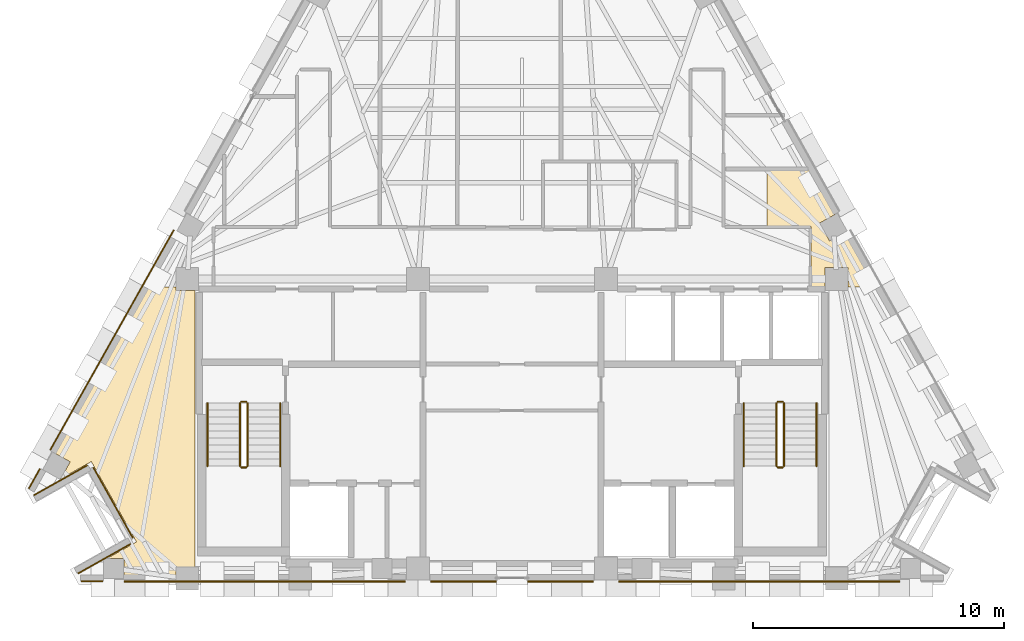
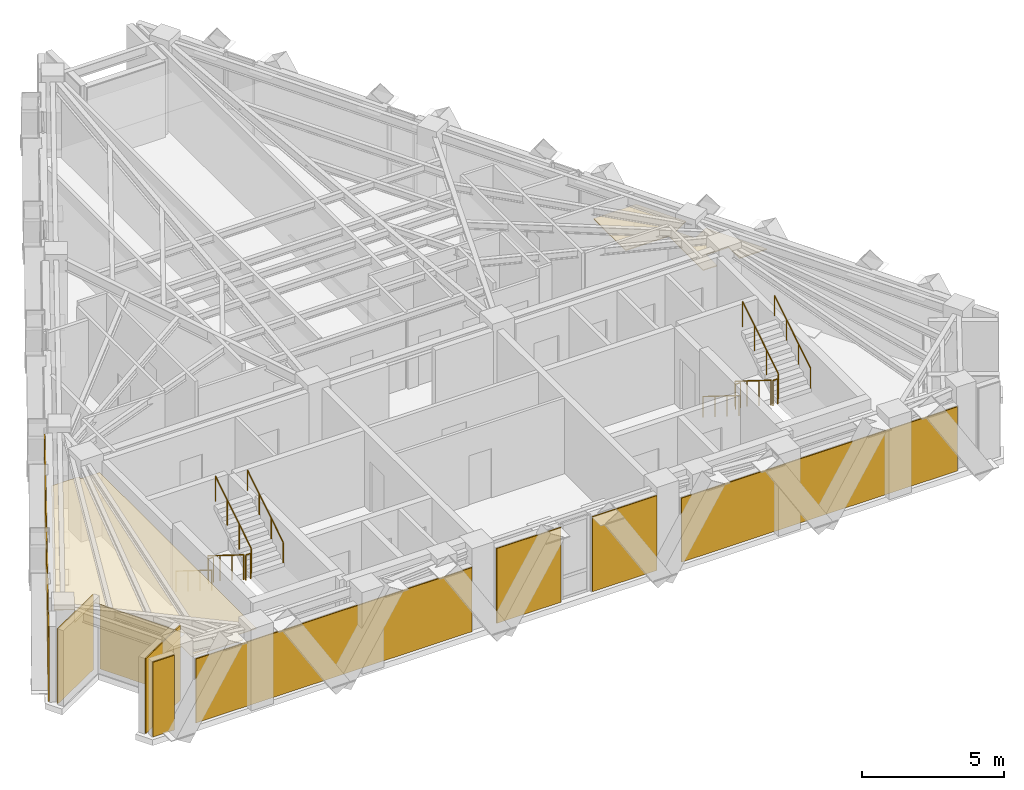
# One storey, part 8 of 9: 12 coverings, 12 railings.
"""IFC4 building model written with IfcOpenShell, lengths in metres."""

from ifc_helpers import new_model, si_unit, direction, frame, origin, origin_2d, place, context, subcontext, project, spatial, polyline, circle, outline, extrude, material, layer, layer_set, type_object, element, save


model = new_model("IFC4")

# Units and contexts
model_context = context("Model", 3, precision=1e-05, world=origin(), true_north=direction((0.0, 1.0)))
body_context = subcontext(model_context, "Body", "Model", "MODEL_VIEW")
ifc_project = project(units=[si_unit("LENGTHUNIT", "METRE"), si_unit("AREAUNIT", "SQUARE_METRE"), si_unit("VOLUMEUNIT", "CUBIC_METRE"), si_unit("PLANEANGLEUNIT", "RADIAN"), si_unit("MASSUNIT", "GRAM", prefix="KILO")], contexts=[model_context])

# Site, building, storey
site_placement = place(None, origin())
site = spatial("IfcSite", under=ifc_project, at=site_placement, CompositionType="ELEMENT")
building_placement = place(site_placement, origin())
building = spatial("IfcBuilding", under=site, at=building_placement, Name="Quenlor Broadcast Tower", CompositionType="ELEMENT")
storey_placement = place(building_placement, frame((0.0, 0.0, 260.39990234375)))
storey = spatial("IfcBuildingStorey", under=building, at=storey_placement, Name="L72", CompositionType="ELEMENT", Elevation=260.39990234375)

# Coverings
ifc_material_1 = material(Name="Acoustic Mineral Fibre Board", Category="other")
ifc_layer_1 = layer(ifc_material_1, 0.02490234375)
ifc_layer_set_1 = layer_set([ifc_layer_1], Name="Acoustic Perforated Mineral Tile Ceiling 25")
covering_type_1 = type_object("IfcCoveringType", Name="Acoustic Perforated Mineral Tile Ceiling 25", PredefinedType="CEILING", material=ifc_layer_set_1)
covering_1_placement = place(storey_placement, frame((0.0, 0.0, 2.714599609375)))
element("IfcCovering", 1, at=covering_1_placement, inside=storey, type_object=covering_type_1, Name="L72 Acoustic Ceiling L72-30", PredefinedType="CEILING", context=body_context, shape_type="SweptSolid", body=[
    extrude(outline(polyline([(-18.25244140625, -11.7421875), (-14.52734375, -5.1201171875), (-13.407958984375, -5.1201171875), (-13.407958984375, -5.258056640625), (-12.64990234375, -5.258056640625), (-12.64990234375, -16.2919921875), (-13.407958984375, -16.2919921875), (-13.407958984375, -16.659912109375), (-15.489501953125, -16.659912109375), (-15.489501953125, -15.94189453125), (-16.1435546875, -15.94189453125), (-14.983642578125, -15.28955078125), (-16.785888671875, -12.085693359375), (-18.0087890625, -12.773681640625), (-17.626708984375, -12.09423828125), (-18.25244140625, -11.7421875)])), origin(), (0.0, 0.0, 1.0), 0.025146484375),
])
ifc_material_2 = material(Name="Acoustic Gypsum Board", Category="other")
ifc_layer_2 = layer(ifc_material_2, 0.0400390625)
ifc_layer_set_2 = layer_set([ifc_layer_2], Name="Broadcast Studio Spring Isolated Ceiling 40")
covering_type_2 = type_object("IfcCoveringType", Name="Broadcast Studio Spring Isolated Ceiling 40", PredefinedType="CEILING", material=ifc_layer_set_2)
covering_2_placement = place(storey_placement, frame((0.0, 0.0, 2.69970703125)))
element("IfcCovering", 2, at=covering_2_placement, inside=storey, type_object=covering_type_2, Name="L72 Acoustic Ceiling L72-29", PredefinedType="CEILING", context=body_context, shape_type="SweptSolid", body=[
    extrude(outline(polyline([(13.407958984375, -4.342041015625), (12.491943359375, -4.342041015625), (12.491943359375, -5.1201171875), (11.929931640625, -5.1201171875), (11.929931640625, -2.699951171875), (10.175048828125, -2.699951171875), (10.175048828125, -0.4501953125), (11.900634765625, -0.4501953125), (12.895751953125, -2.218994140625), (12.27001953125, -2.571044921875), (12.669921875, -3.2822265625), (13.295654296875, -2.930419921875), (14.52734375, -5.1201171875), (13.407958984375, -5.1201171875), (13.407958984375, -4.342041015625)])), origin(), (0.0, 0.0, 1.0), 0.0400390625),
])
ifc_material_3 = material(Name="Architectural Terracotta Ceramic", Category="masonry")
ifc_layer_3 = layer(ifc_material_3, 0.044921875)
ifc_layer_set_3 = layer_set([ifc_layer_3], Name="Fluted Terracotta Rainscreen Cladding Panel")
covering_type_3 = type_object("IfcCoveringType", Name="Fluted Terracotta Rainscreen Cladding Panel", PredefinedType="CLADDING", material=ifc_layer_set_3)
covering_3_placement = place(storey_placement, frame((0.0, 0.0, 0.02001953125)))
element("IfcCovering", 3, at=covering_3_placement, inside=storey, type_object=covering_type_3, Name="L72 Terracotta Rainscreen Cladding L72-SHD-SS1", PredefinedType="CLADDING", context=body_context, shape_type="SweptSolid", body=[
    extrude(outline(polyline([(-16.33251953125, -16.8369140625), (-17.18994140625, -16.8369140625), (-17.18994140625, -16.882080078125), (-16.33251953125, -16.882080078125), (-16.33251953125, -16.8369140625)])), origin(), (0.0, 0.0, 1.0), 3.2099609375),
])
covering_4_placement = place(storey_placement, frame((0.0, 0.0, 0.02001953125)))
element("IfcCovering", 4, at=covering_4_placement, inside=storey, type_object=covering_type_3, Name="L72 Terracotta Rainscreen Cladding L72-EW-SA", PredefinedType="CLADDING", context=body_context, shape_type="SweptSolid", body=[
    extrude(outline(polyline([(15.462646484375, -16.846923828125), (4.25, -16.846923828125), (4.25, -16.89208984375), (15.462646484375, -16.89208984375), (15.462646484375, -16.846923828125)])), origin(), (0.0, 0.0, 1.0), 2.749755859375),
])
covering_5_placement = place(storey_placement, frame((0.0, 0.0, 0.02001953125)))
element("IfcCovering", 5, at=covering_5_placement, inside=storey, type_object=covering_type_3, Name="L72 Terracotta Rainscreen Cladding L72-EW-SC", PredefinedType="CLADDING", context=body_context, shape_type="SweptSolid", body=[
    extrude(outline(polyline([(-4.25, -16.846923828125), (-15.462646484375, -16.846923828125), (-15.462646484375, -16.89208984375), (-4.25, -16.89208984375), (-4.25, -16.846923828125)])), origin(), (0.0, 0.0, 1.0), 2.749755859375),
])
covering_6_placement = place(storey_placement, frame((0.0, 0.0, 0.02001953125)))
element("IfcCovering", 6, at=covering_6_placement, inside=storey, type_object=covering_type_3, Name="L72 Terracotta Rainscreen Cladding L72-S-SP1", PredefinedType="CLADDING", context=body_context, shape_type="SweptSolid", body=[
    extrude(outline(polyline([(3.25, -16.846923828125), (0.636474609375, -16.846923828125), (0.636474609375, -16.89208984375), (3.25, -16.89208984375), (3.25, -16.846923828125)])), origin(), (0.0, 0.0, 1.0), 3.2099609375),
])
covering_7_placement = place(storey_placement, frame((0.0, 0.0, 0.02001953125)))
element("IfcCovering", 7, at=covering_7_placement, inside=storey, type_object=covering_type_3, Name="L72 Terracotta Rainscreen Cladding L72-S-SP2", PredefinedType="CLADDING", context=body_context, shape_type="SweptSolid", body=[
    extrude(outline(polyline([(-0.636474609375, -16.846923828125), (-3.25, -16.846923828125), (-3.25, -16.89208984375), (-0.636474609375, -16.89208984375), (-0.636474609375, -16.846923828125)])), origin(), (0.0, 0.0, 1.0), 3.2099609375),
])
covering_8_placement = place(storey_placement, frame((0.0, 0.0, 0.02001953125)))
element("IfcCovering", 8, at=covering_8_placement, inside=storey, type_object=covering_type_3, Name="L72 Terracotta Rainscreen Cladding L72-SHD-NWS0", PredefinedType="CLADDING", context=body_context, shape_type="SweptSolid", body=[
    extrude(outline(polyline([(-19.25390625, -13.161376953125), (-18.820068359375, -12.39013671875), (-18.859130859375, -12.3681640625), (-19.29296875, -13.139404296875), (-19.25390625, -13.161376953125)])), origin(), (0.0, 0.0, 1.0), 3.2099609375),
])
covering_9_placement = place(storey_placement, frame((0.0, 0.0, 0.02001953125)))
element("IfcCovering", 9, at=covering_9_placement, inside=storey, type_object=covering_type_3, Name="L72 Terracotta Rainscreen Cladding L72-EW-NWA", PredefinedType="CLADDING", context=body_context, shape_type="SweptSolid", body=[
    extrude(outline(polyline([(-18.402099609375, -11.626953125), (-13.471923828125, -2.862060546875), (-13.51123046875, -2.840087890625), (-18.44140625, -11.60498046875), (-18.402099609375, -11.626953125)])), origin(), (0.0, 0.0, 1.0), 3.2099609375),
])
covering_10_placement = place(storey_placement, frame((0.0, 0.0, 0.02001953125)))
element("IfcCovering", 10, at=covering_10_placement, inside=storey, type_object=covering_type_3, Name="L72 Terracotta Rainscreen Cladding L72-CNR-13", PredefinedType="CLADDING", context=body_context, shape_type="SweptSolid", body=[
    extrude(outline(polyline([(-19.062255859375, -13.444091796875), (-16.935546875, -12.247802734375), (-16.95751953125, -12.208740234375), (-19.084228515625, -13.405029296875), (-19.062255859375, -13.444091796875)])), origin(), (0.0, 0.0, 1.0), 3.2099609375),
])
covering_11_placement = place(storey_placement, frame((0.0, 0.0, 0.02001953125)))
element("IfcCovering", 11, at=covering_11_placement, inside=storey, type_object=covering_type_3, Name="L72 Terracotta Rainscreen Cladding L72-CNR-14", PredefinedType="CLADDING", context=body_context, shape_type="SweptSolid", body=[
    extrude(outline(polyline([(-16.72265625, -12.3369140625), (-15.14599609375, -15.139892578125), (-15.106689453125, -15.117919921875), (-16.683349609375, -12.31494140625), (-16.72265625, -12.3369140625)])), origin(), (0.0, 0.0, 1.0), 2.749755859375),
])
covering_12_placement = place(storey_placement, frame((0.0, 0.0, 0.02001953125)))
element("IfcCovering", 12, at=covering_12_placement, inside=storey, type_object=covering_type_3, Name="L72 Terracotta Rainscreen Cladding L72-CNR-15", PredefinedType="CLADDING", context=body_context, shape_type="SweptSolid", body=[
    extrude(outline(polyline([(-15.23486328125, -15.352783203125), (-17.32666015625, -16.529541015625), (-17.3046875, -16.568603515625), (-15.212890625, -15.39208984375), (-15.23486328125, -15.352783203125)])), origin(), (0.0, 0.0, 1.0), 3.2099609375),
])

# Railings
ifc_material_4 = material(Name="Anodised Aluminium", Category="aluminium")
railing_type_1 = type_object("IfcRailingType", Name="Stainless Aluminium Wall Handrail 900", PredefinedType="HANDRAIL", material=ifc_material_4)
railing_1_placement = place(storey_placement, frame((-12.14990234375, -9.75, 0.175048828125)))
element("IfcRailing", 13, at=railing_1_placement, inside=storey, type_object=railing_type_1, Name="L72 ST-1 stair handrail 1", PredefinedType="HANDRAIL", context=body_context, shape_type="SweptSolid", body=[
    extrude(circle(Radius=0.02392578125, at=origin_2d()), frame((0.0, 0.0, 0.8759765625), z_axis=(0.0, -0.848007534815, 0.529984170421), x_axis=(1.0, 0.0, 0.0)), (0.0, 0.0, 1.0), 2.9716796875),
    extrude(circle(Radius=0.02099609375, at=origin_2d()), origin(), (0.0, 0.0, 1.0), 0.851806640625),
    extrude(circle(Radius=0.02099609375, at=origin_2d()), frame((0.0, -0.840087890625, 0.52490234375)), (0.0, 0.0, 1.0), 0.851806640625),
    extrude(circle(Radius=0.02099609375, at=origin_2d()), frame((0.0, -1.679931640625, 1.050048828125)), (0.0, 0.0, 1.0), 0.851806640625),
    extrude(circle(Radius=0.02099609375, at=origin_2d()), frame((0.0, -2.52001953125, 1.574951171875)), (0.0, 0.0, 1.0), 0.851806640625),
])
railing_2_placement = place(storey_placement, frame((-9.25, -12.27001953125, 1.925048828125)))
element("IfcRailing", 14, at=railing_2_placement, inside=storey, type_object=railing_type_1, Name="L72 ST-1 stair handrail 2", PredefinedType="HANDRAIL", context=body_context, shape_type="SweptSolid", body=[
    extrude(circle(Radius=0.02392578125, at=origin_2d()), frame((0.0, 0.0, 0.8759765625), z_axis=(0.0, 0.848007534815, 0.529984170421), x_axis=(-1.0, 0.0, 0.0)), (0.0, 0.0, 1.0), 2.9716796875),
    extrude(circle(Radius=0.02099609375, at=origin_2d()), origin(), (0.0, 0.0, 1.0), 0.851806640625),
    extrude(circle(Radius=0.02099609375, at=origin_2d()), frame((0.0, 0.840087890625, 0.52490234375)), (0.0, 0.0, 1.0), 0.851806640625),
    extrude(circle(Radius=0.02099609375, at=origin_2d()), frame((0.0, 1.679931640625, 1.050048828125)), (0.0, 0.0, 1.0), 0.851806640625),
    extrude(circle(Radius=0.02099609375, at=origin_2d()), frame((0.0, 2.52001953125, 1.574951171875)), (0.0, 0.0, 1.0), 0.851806640625),
])
railing_3_placement = place(storey_placement, frame((9.25, -9.75, 0.175048828125)))
element("IfcRailing", 15, at=railing_3_placement, inside=storey, type_object=railing_type_1, Name="L72 ST-2 stair handrail 1", PredefinedType="HANDRAIL", context=body_context, shape_type="SweptSolid", body=[
    extrude(circle(Radius=0.02392578125, at=origin_2d()), frame((0.0, 0.0, 0.8759765625), z_axis=(0.0, -0.848007534815, 0.529984170421), x_axis=(1.0, 0.0, 0.0)), (0.0, 0.0, 1.0), 2.9716796875),
    extrude(circle(Radius=0.02099609375, at=origin_2d()), origin(), (0.0, 0.0, 1.0), 0.851806640625),
    extrude(circle(Radius=0.02099609375, at=origin_2d()), frame((0.0, -0.840087890625, 0.52490234375)), (0.0, 0.0, 1.0), 0.851806640625),
    extrude(circle(Radius=0.02099609375, at=origin_2d()), frame((0.0, -1.679931640625, 1.050048828125)), (0.0, 0.0, 1.0), 0.851806640625),
    extrude(circle(Radius=0.02099609375, at=origin_2d()), frame((0.0, -2.52001953125, 1.574951171875)), (0.0, 0.0, 1.0), 0.851806640625),
])
railing_4_placement = place(storey_placement, frame((12.14990234375, -12.27001953125, 1.925048828125)))
element("IfcRailing", 16, at=railing_4_placement, inside=storey, type_object=railing_type_1, Name="L72 ST-2 stair handrail 2", PredefinedType="HANDRAIL", context=body_context, shape_type="SweptSolid", body=[
    extrude(circle(Radius=0.02392578125, at=origin_2d()), frame((0.0, 0.0, 0.8759765625), z_axis=(0.0, 0.848007534815, 0.529984170421), x_axis=(-1.0, 0.0, 0.0)), (0.0, 0.0, 1.0), 2.9716796875),
    extrude(circle(Radius=0.02099609375, at=origin_2d()), origin(), (0.0, 0.0, 1.0), 0.851806640625),
    extrude(circle(Radius=0.02099609375, at=origin_2d()), frame((0.0, 0.840087890625, 0.52490234375)), (0.0, 0.0, 1.0), 0.851806640625),
    extrude(circle(Radius=0.02099609375, at=origin_2d()), frame((0.0, 1.679931640625, 1.050048828125)), (0.0, 0.0, 1.0), 0.851806640625),
    extrude(circle(Radius=0.02099609375, at=origin_2d()), frame((0.0, 2.52001953125, 1.574951171875)), (0.0, 0.0, 1.0), 0.851806640625),
])
ifc_material_5 = material(Name="Steel S355", Category="steel")
railing_type_2 = type_object("IfcRailingType", Name="Tubular Steel S355 Stair Guardrail 1100", PredefinedType="BALUSTRADE", material=ifc_material_5)
railing_5_placement = place(storey_placement, frame((-10.85009765625, -9.75, 0.175048828125)))
element("IfcRailing", 17, at=railing_5_placement, inside=storey, type_object=railing_type_2, Name="L72 ST-1 stair guard 1", PredefinedType="BALUSTRADE", context=body_context, shape_type="SweptSolid", body=[
    extrude(circle(Radius=0.02392578125, at=origin_2d()), frame((0.0, 0.0, 1.076171875), z_axis=(0.0, -0.848007534815, 0.529984170421), x_axis=(1.0, 0.0, 0.0)), (0.0, 0.0, 1.0), 2.9716796875),
    extrude(circle(Radius=0.02099609375, at=origin_2d()), origin(), (0.0, 0.0, 1.0), 1.052001953125),
    extrude(circle(Radius=0.02099609375, at=origin_2d()), frame((0.0, -0.840087890625, 0.52490234375)), (0.0, 0.0, 1.0), 1.052001953125),
    extrude(circle(Radius=0.02099609375, at=origin_2d()), frame((0.0, -1.679931640625, 1.050048828125)), (0.0, 0.0, 1.0), 1.052001953125),
    extrude(circle(Radius=0.02099609375, at=origin_2d()), frame((0.0, -2.52001953125, 1.574951171875)), (0.0, 0.0, 1.0), 1.052001953125),
])
railing_6_placement = place(storey_placement, frame((-10.800048828125, -12.320068359375, 1.75)))
element("IfcRailing", 18, at=railing_6_placement, inside=storey, type_object=railing_type_2, Name="L72 ST-1 stair guard 2", PredefinedType="BALUSTRADE", context=body_context, shape_type="SweptSolid", body=[
    extrude(circle(Radius=0.02392578125, at=origin_2d()), frame((0.0, 0.0, 1.076171875), z_axis=(1.0, 0.0, 0.0), x_axis=(0.0, 1.0, 0.0)), (0.0, 0.0, 1.0), 0.199951171875),
    extrude(circle(Radius=0.02099609375, at=origin_2d()), origin(), (0.0, 0.0, 1.0), 1.052001953125),
    extrude(circle(Radius=0.02099609375, at=origin_2d()), frame((0.199951171875, 0.0, 0.0)), (0.0, 0.0, 1.0), 1.052001953125),
])
railing_7_placement = place(storey_placement, frame((-10.550048828125, -12.27001953125, 1.925048828125)))
element("IfcRailing", 19, at=railing_7_placement, inside=storey, type_object=railing_type_2, Name="L72 ST-1 stair guard 3", PredefinedType="BALUSTRADE", context=body_context, shape_type="SweptSolid", body=[
    extrude(circle(Radius=0.02392578125, at=origin_2d()), frame((0.0, 0.0, 1.076171875), z_axis=(0.0, 0.848007534815, 0.529984170421), x_axis=(-1.0, 0.0, 0.0)), (0.0, 0.0, 1.0), 2.9716796875),
    extrude(circle(Radius=0.02099609375, at=origin_2d()), origin(), (0.0, 0.0, 1.0), 1.052001953125),
    extrude(circle(Radius=0.02099609375, at=origin_2d()), frame((0.0, 0.840087890625, 0.52490234375)), (0.0, 0.0, 1.0), 1.052001953125),
    extrude(circle(Radius=0.02099609375, at=origin_2d()), frame((0.0, 1.679931640625, 1.050048828125)), (0.0, 0.0, 1.0), 1.052001953125),
    extrude(circle(Radius=0.02099609375, at=origin_2d()), frame((0.0, 2.52001953125, 1.574951171875)), (0.0, 0.0, 1.0), 1.052001953125),
])
railing_8_placement = place(storey_placement, frame((-10.800048828125, -9.699951171875, 0.0)))
element("IfcRailing", 20, at=railing_8_placement, inside=storey, type_object=railing_type_2, Name="L72 ST-1 stair guard 4", PredefinedType="BALUSTRADE", context=body_context, shape_type="SweptSolid", body=[
    extrude(circle(Radius=0.02392578125, at=origin_2d()), frame((0.0, 0.0, 1.076171875), z_axis=(1.0, 0.0, 0.0), x_axis=(0.0, 1.0, 0.0)), (0.0, 0.0, 1.0), 0.199951171875),
    extrude(circle(Radius=0.02099609375, at=origin_2d()), origin(), (0.0, 0.0, 1.0), 1.052001953125),
    extrude(circle(Radius=0.02099609375, at=origin_2d()), frame((0.199951171875, 0.0, 0.0)), (0.0, 0.0, 1.0), 1.052001953125),
])
railing_9_placement = place(storey_placement, frame((10.550048828125, -9.75, 0.175048828125)))
element("IfcRailing", 21, at=railing_9_placement, inside=storey, type_object=railing_type_2, Name="L72 ST-2 stair guard 1", PredefinedType="BALUSTRADE", context=body_context, shape_type="SweptSolid", body=[
    extrude(circle(Radius=0.02392578125, at=origin_2d()), frame((0.0, 0.0, 1.076171875), z_axis=(0.0, -0.848007534815, 0.529984170421), x_axis=(1.0, 0.0, 0.0)), (0.0, 0.0, 1.0), 2.9716796875),
    extrude(circle(Radius=0.02099609375, at=origin_2d()), origin(), (0.0, 0.0, 1.0), 1.052001953125),
    extrude(circle(Radius=0.02099609375, at=origin_2d()), frame((0.0, -0.840087890625, 0.52490234375)), (0.0, 0.0, 1.0), 1.052001953125),
    extrude(circle(Radius=0.02099609375, at=origin_2d()), frame((0.0, -1.679931640625, 1.050048828125)), (0.0, 0.0, 1.0), 1.052001953125),
    extrude(circle(Radius=0.02099609375, at=origin_2d()), frame((0.0, -2.52001953125, 1.574951171875)), (0.0, 0.0, 1.0), 1.052001953125),
])
railing_10_placement = place(storey_placement, frame((10.60009765625, -12.320068359375, 1.75)))
element("IfcRailing", 22, at=railing_10_placement, inside=storey, type_object=railing_type_2, Name="L72 ST-2 stair guard 2", PredefinedType="BALUSTRADE", context=body_context, shape_type="SweptSolid", body=[
    extrude(circle(Radius=0.02392578125, at=origin_2d()), frame((0.0, 0.0, 1.076171875), z_axis=(1.0, 0.0, 0.0), x_axis=(0.0, 1.0, 0.0)), (0.0, 0.0, 1.0), 0.199951171875),
    extrude(circle(Radius=0.02099609375, at=origin_2d()), origin(), (0.0, 0.0, 1.0), 1.052001953125),
    extrude(circle(Radius=0.02099609375, at=origin_2d()), frame((0.199951171875, 0.0, 0.0)), (0.0, 0.0, 1.0), 1.052001953125),
])
railing_11_placement = place(storey_placement, frame((10.85009765625, -12.27001953125, 1.925048828125)))
element("IfcRailing", 23, at=railing_11_placement, inside=storey, type_object=railing_type_2, Name="L72 ST-2 stair guard 3", PredefinedType="BALUSTRADE", context=body_context, shape_type="SweptSolid", body=[
    extrude(circle(Radius=0.02392578125, at=origin_2d()), frame((0.0, 0.0, 1.076171875), z_axis=(0.0, 0.848007534815, 0.529984170421), x_axis=(-1.0, 0.0, 0.0)), (0.0, 0.0, 1.0), 2.9716796875),
    extrude(circle(Radius=0.02099609375, at=origin_2d()), origin(), (0.0, 0.0, 1.0), 1.052001953125),
    extrude(circle(Radius=0.02099609375, at=origin_2d()), frame((0.0, 0.840087890625, 0.52490234375)), (0.0, 0.0, 1.0), 1.052001953125),
    extrude(circle(Radius=0.02099609375, at=origin_2d()), frame((0.0, 1.679931640625, 1.050048828125)), (0.0, 0.0, 1.0), 1.052001953125),
    extrude(circle(Radius=0.02099609375, at=origin_2d()), frame((0.0, 2.52001953125, 1.574951171875)), (0.0, 0.0, 1.0), 1.052001953125),
])
railing_12_placement = place(storey_placement, frame((10.60009765625, -9.699951171875, 0.0)))
element("IfcRailing", 24, at=railing_12_placement, inside=storey, type_object=railing_type_2, Name="L72 ST-2 stair guard 4", PredefinedType="BALUSTRADE", context=body_context, shape_type="SweptSolid", body=[
    extrude(circle(Radius=0.02392578125, at=origin_2d()), frame((0.0, 0.0, 1.076171875), z_axis=(1.0, 0.0, 0.0), x_axis=(0.0, 1.0, 0.0)), (0.0, 0.0, 1.0), 0.199951171875),
    extrude(circle(Radius=0.02099609375, at=origin_2d()), origin(), (0.0, 0.0, 1.0), 1.052001953125),
    extrude(circle(Radius=0.02099609375, at=origin_2d()), frame((0.199951171875, 0.0, 0.0)), (0.0, 0.0, 1.0), 1.052001953125),
])

save(model, "model.ifc")
